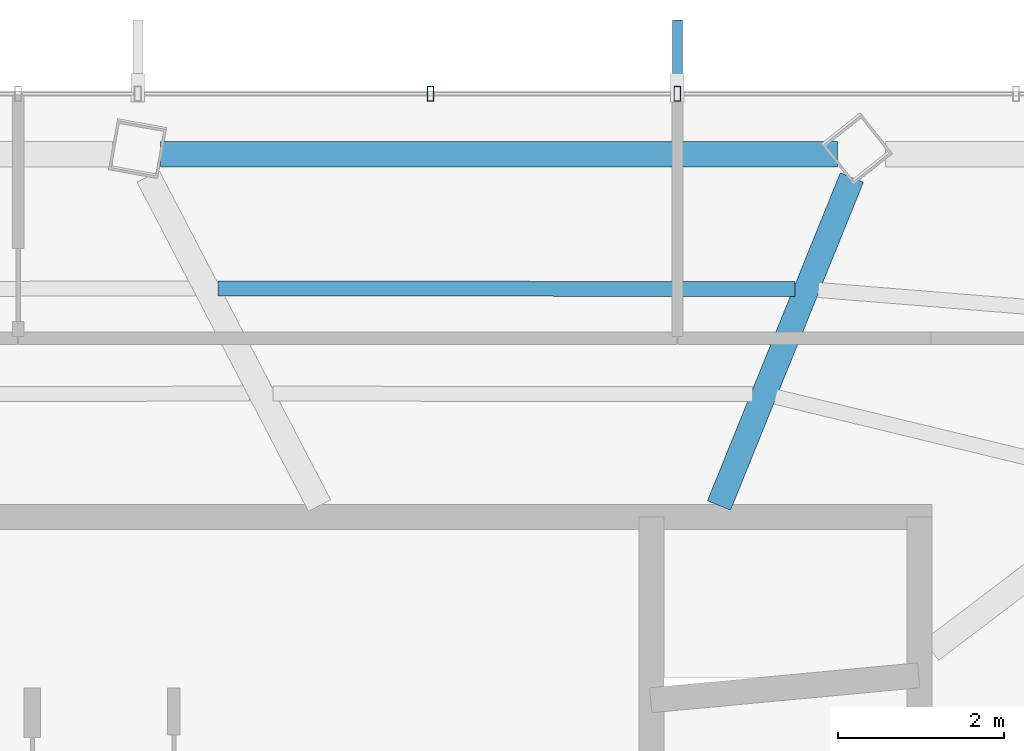
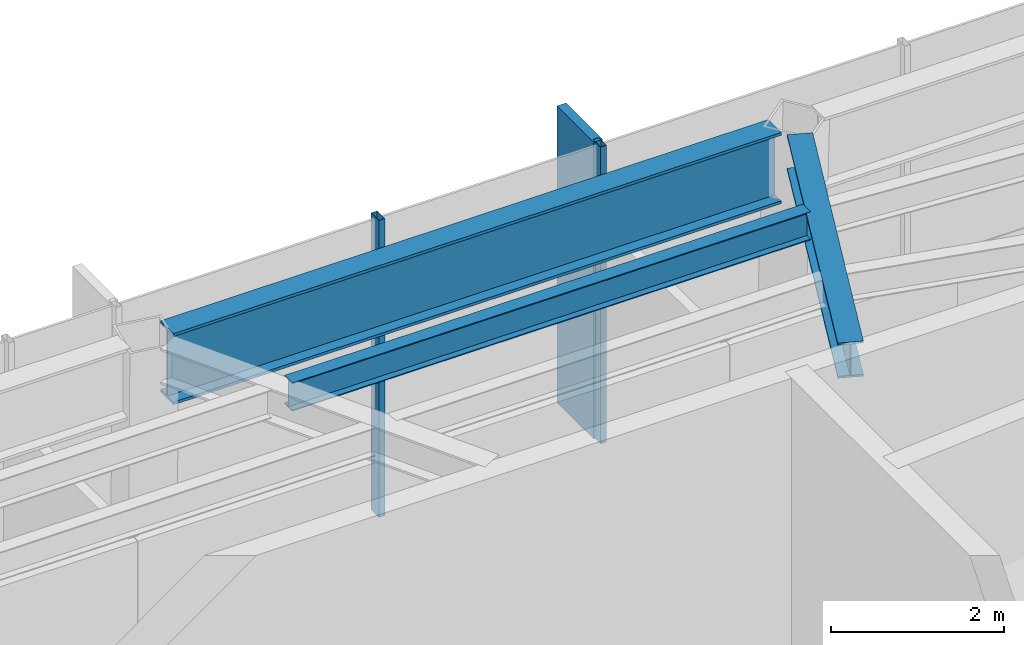
# One storey, part 11 of 22: 3 beams, 3 members, 1 element without a shape of its own.
"""IFC4 building model written with IfcOpenShell, lengths in metres."""

from ifc_helpers import new_model, si_unit, direction, frame, origin, origin_2d, place, context, subcontext, project, spatial, rectangle, hollow_rectangle, i_section, extrude, material, layer, layer_set, material_profile, profile_set, type_object, element, aggregate, save


model = new_model("IFC4")

# Units and contexts
model_context = context("Model", 3, precision=1e-05, world=origin(), true_north=direction((0.0, 1.0)))
body_context = subcontext(model_context, "Body", "Model", "MODEL_VIEW")
ifc_project = project(units=[si_unit("LENGTHUNIT", "METRE"), si_unit("AREAUNIT", "SQUARE_METRE"), si_unit("VOLUMEUNIT", "CUBIC_METRE"), si_unit("PLANEANGLEUNIT", "RADIAN"), si_unit("MASSUNIT", "GRAM", prefix="KILO")], contexts=[model_context])

# Site, building, storey
site_placement = place(None, origin())
site = spatial("IfcSite", under=ifc_project, at=site_placement, CompositionType="ELEMENT")
building_placement = place(site_placement, origin())
building = spatial("IfcBuilding", under=site, at=building_placement, Name="Zarrinselat Tower", CompositionType="ELEMENT")
storey_placement = place(building_placement, frame((0.0, 0.0, 204.340087890625)))
storey = spatial("IfcBuildingStorey", under=building, at=storey_placement, Name="L50", CompositionType="ELEMENT", Elevation=204.340087890625)

# Beams
ifc_material_1 = material(Name="Steel S355J2", Category="steel")
ifc_material_profile_1 = material_profile(ifc_material_1, i_section(OverallWidth=0.300048828125, OverallDepth=0.5, WebThickness=0.014404296875, FlangeThickness=0.028076171875, at=origin_2d()), Name="HEB 500")
ifc_profile_set_1 = profile_set([ifc_material_profile_1], Name="Steel S355J2")
beam_type_1 = type_object("IfcBeamType", Name="BM-HEB500", PredefinedType="BEAM", material=ifc_profile_set_1)
beam_1_placement = place(storey_placement, frame((45.800048828125, 43.5400390625, 3.949951171875), z_axis=(0.375485204643, 0.926828388157, 0.0), x_axis=(-0.926828388157, 0.375485204643, 0.0)))
element("IfcBeam", 1, at=beam_1_placement, inside=storey, type_object=beam_type_1, Name="L50 Radial Primary Girder RG02", PredefinedType="BEAM", context=body_context, shape_type="SweptSolid", body=[
    extrude(i_section(OverallWidth=0.300048828125, OverallDepth=0.5, WebThickness=0.014404296875, FlangeThickness=0.028076171875, at=origin_2d()), origin(), (0.0, 0.0, 1.0), 4.252197265625),
])
ifc_material_2 = material(Name="Steel S460M", Category="steel")
ifc_material_profile_2 = material_profile(ifc_material_2, i_section(OverallWidth=0.302001953125, OverallDepth=1.008056640625, WebThickness=0.02099609375, FlangeThickness=0.0400390625, at=origin_2d()), Name="HEM 1000")
ifc_profile_set_2 = profile_set([ifc_material_profile_2], Name="Steel S460M")
beam_type_2 = type_object("IfcBeamType", Name="BM-HEM1000", PredefinedType="BEAM", material=ifc_profile_set_2)
beam_2_placement = place(storey_placement, frame((39.090087890625, 47.760986328125, 3.69580078125), z_axis=(1.0, 0.0, 0.0), x_axis=(0.0, 1.0, 0.0)))
element("IfcBeam", 2, at=beam_2_placement, inside=storey, type_object=beam_type_2, Name="L50 Perimeter Spandrel Girder SP02", PredefinedType="BEAM", context=body_context, shape_type="SweptSolid", body=[
    extrude(i_section(OverallWidth=0.302001953125, OverallDepth=1.008056640625, WebThickness=0.02099609375, FlangeThickness=0.0400390625, at=origin_2d()), origin(), (0.0, 0.0, 1.0), 8.132080078125),
])
ifc_material_3 = material(Name="Steel S355J2", Category="steel")
ifc_material_profile_3 = material_profile(ifc_material_3, i_section(OverallWidth=0.179931640625, OverallDepth=0.39990234375, WebThickness=0.008544921875, FlangeThickness=0.013427734375, at=origin_2d()), Name="IPE 400")
ifc_profile_set_3 = profile_set([ifc_material_profile_3], Name="Steel S355J2")
beam_type_3 = type_object("IfcBeamType", Name="BM-IPE400", PredefinedType="JOIST", material=ifc_profile_set_3)
beam_3_placement = place(storey_placement, frame((39.781494140625, 46.14892578125, 4.0), z_axis=(0.999999404051, -0.001091740853, 0.0), x_axis=(0.001091740853, 0.999999404051, 0.0)))
element("IfcBeam", 3, at=beam_3_placement, inside=storey, type_object=beam_type_3, Name="L50 Composite Floor Joist 7-1", PredefinedType="JOIST", context=body_context, shape_type="SweptSolid", body=[
    extrude(i_section(OverallWidth=0.179931640625, OverallDepth=0.39990234375, WebThickness=0.008544921875, FlangeThickness=0.013427734375, at=origin_2d()), origin(), (0.0, 0.0, 1.0), 6.932373046875),
])

# Curtain wall, members
ifc_material_4 = material(Name="Extruded Aluminium Alloy EN AW-6063 T6", Category="aluminium")
ifc_layer = layer(ifc_material_4, 0.195068359375)
ifc_layer_set = layer_set([ifc_layer], Name="Extruded Aluminium Alloy EN AW-6063 T6")
curtain_wall_type = type_object("IfcCurtainWallType", Name="CWS-GDN", PredefinedType="NOTDEFINED", material=ifc_layer_set)
curtain_wall_placement = place(storey_placement, origin())
curtain_wall = element("IfcCurtainWall", 4, at=curtain_wall_placement, inside=storey, type_object=curtain_wall_type, Name="L50 Unitised Curtain Wall CW-L50-E02", PredefinedType="NOTDEFINED")
ifc_material_5 = material(Name="Extruded Aluminium Alloy EN AW-6063 T6", Category="aluminium")
ifc_material_profile_4 = material_profile(ifc_material_5, hollow_rectangle(XDim=0.080078125, YDim=0.179931640625, WallThickness=0.0048828125, at=origin_2d()), Name="RHS 180x80x5")
ifc_profile_set_4 = profile_set([ifc_material_profile_4], Name="Extruded Aluminium Alloy EN AW-6063 T6")
member_type_1 = type_object("IfcMemberType", Name="MEM-CW-MUL", PredefinedType="MULLION", material=ifc_profile_set_4)
member_1_placement = place(storey_placement, frame((42.33349609375, 48.489013671875, 0.0), z_axis=(0.0, 0.0, 1.0), x_axis=(1.0, 0.0, 0.0)))
member_1 = element("IfcMember", 5, at=member_1_placement, type_object=member_type_1, Name="CW-L50-E02 Mullion 8", PredefinedType="MULLION", context=body_context, shape_type="SweptSolid", body=[
    extrude(hollow_rectangle(XDim=0.080078125, YDim=0.179931640625, WallThickness=0.0048828125, at=origin_2d()), origin(), (0.0, 0.0, 1.0), 4.199951171875),
])
member_2_placement = place(storey_placement, frame((45.300048828125, 48.489013671875, 0.0), z_axis=(0.0, 0.0, 1.0), x_axis=(1.0, 0.0, 0.0)))
member_2 = element("IfcMember", 6, at=member_2_placement, type_object=member_type_1, Name="CW-L50-E02 Mullion 9", PredefinedType="MULLION", context=body_context, shape_type="SweptSolid", body=[
    extrude(hollow_rectangle(XDim=0.080078125, YDim=0.179931640625, WallThickness=0.0048828125, at=origin_2d()), origin(), (0.0, 0.0, 1.0), 4.199951171875),
])
ifc_material_6 = material(Name="Honed Cream Travertine Stone", Category="masonry")
ifc_material_profile_5 = material_profile(ifc_material_6, rectangle(XDim=0.1201171875, YDim=0.85009765625, at=origin_2d()), Name="FIN 850x120")
ifc_profile_set_5 = profile_set([ifc_material_profile_5], Name="Honed Cream Travertine Stone")
member_type_2 = type_object("IfcMemberType", Name="MEM-STONE-FIN", PredefinedType="USERDEFINED", material=ifc_profile_set_5)
member_3_placement = place(storey_placement, frame((45.300048828125, 48.948974609375, 0.0), z_axis=(0.0, 0.0, 1.0), x_axis=(1.0, 0.0, 0.0)))
member_3 = element("IfcMember", 7, at=member_3_placement, type_object=member_type_2, Name="L50 Stone Shading Fin CW-L50-E02-09", ObjectType="FIN", PredefinedType="USERDEFINED", context=body_context, shape_type="SweptSolid", body=[
    extrude(rectangle(XDim=0.1201171875, YDim=0.85009765625, at=origin_2d()), origin(), (0.0, 0.0, 1.0), 4.199951171875),
])
aggregate(curtain_wall, [member_1, member_2, member_3])

save(model, "model.ifc")
